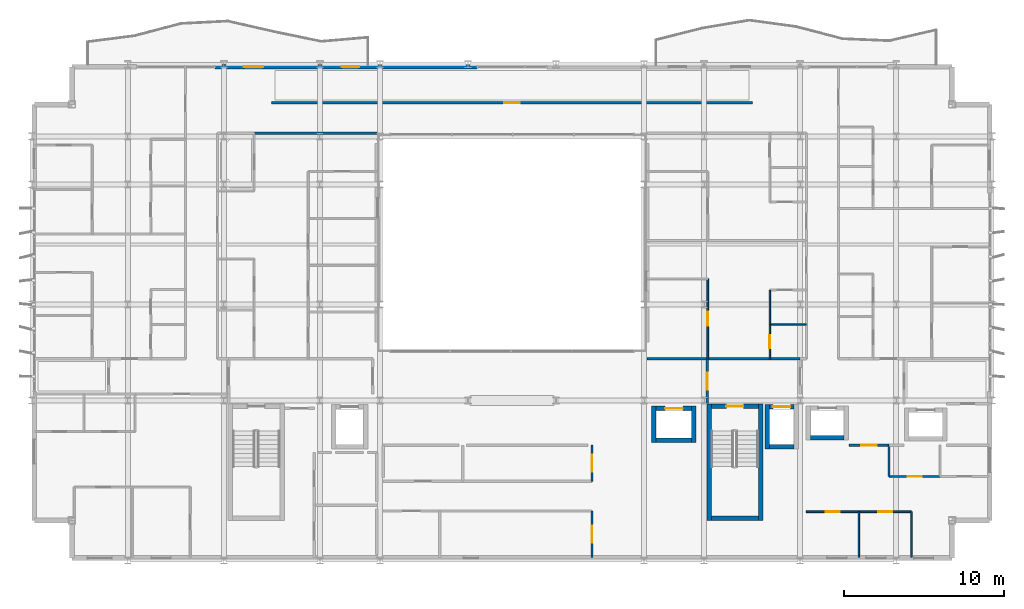
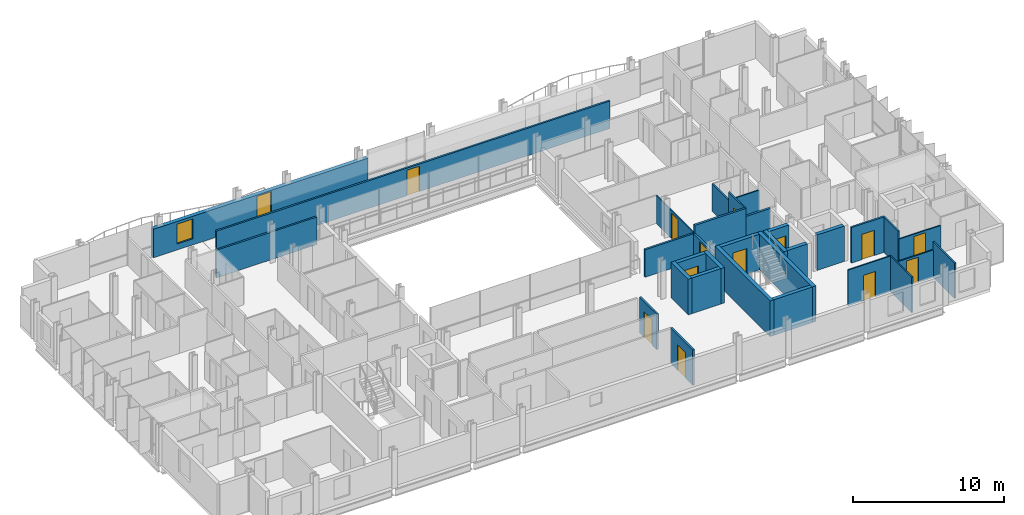
# One storey, part 30 of 38: 32 walls, 14 doors, 1 window, 15 openings.
"""IFC4 building model written with IfcOpenShell, lengths in metres."""

from ifc_helpers import new_model, si_unit, direction, frame, frame_2d, origin, place, context, subcontext, project, spatial, rectangle, extrude, material, layer, layer_set, type_object, element, fill, save


model = new_model("IFC4")

# Units and contexts
model_context = context("Model", 3, precision=1e-05, world=origin(), true_north=direction((0.0, 1.0)))
body_context = subcontext(model_context, "Body", "Model", "MODEL_VIEW")
ifc_project = project(units=[si_unit("LENGTHUNIT", "METRE"), si_unit("AREAUNIT", "SQUARE_METRE"), si_unit("VOLUMEUNIT", "CUBIC_METRE"), si_unit("PLANEANGLEUNIT", "RADIAN"), si_unit("MASSUNIT", "GRAM", prefix="KILO")], contexts=[model_context])

# Site, building, storey
site_placement = place(None, origin())
site = spatial("IfcSite", under=ifc_project, at=site_placement, CompositionType="ELEMENT")
building_placement = place(site_placement, origin())
building = spatial("IfcBuilding", under=site, at=building_placement, Name="Brevholm Reach", CompositionType="ELEMENT")
storey_placement = place(building_placement, frame((0.0, 0.0, 65.199951171875)))
storey = spatial("IfcBuildingStorey", under=building, at=storey_placement, Name="L18", CompositionType="ELEMENT", Elevation=65.199951171875)

# Walls
ifc_material_1 = material(Name="Concrete C50/60", Category="concrete")
ifc_layer_1 = layer(ifc_material_1, 0.280029296875)
ifc_layer_set_1 = layer_set([ifc_layer_1], Name="Concrete C50/60")
wall_type_1 = type_object("IfcWallType", Name="WAL-COR-280", PredefinedType="SHEAR", material=ifc_layer_set_1)
for number, where, z_axis, x_axis, name in (
    (1, (42.31005859375, 2.5, 0.0), (0.0, 0.0, 1.0), (0.0, 1.0, 0.0), "L18 Escape Stair ST-2 Core Wall W"),
    (2, (45.5400390625, 2.5, 0.0), (0.0, 0.0, 1.0), (0.0, 1.0, 0.0), "L18 Escape Stair ST-2 Core Wall E"),
):
    element("IfcWall", number, at=place(storey_placement, frame(where, z_axis=z_axis, x_axis=x_axis)), inside=storey, type_object=wall_type_1, Name=name, PredefinedType="SHEAR", context=body_context, shape_type="SweptSolid", body=[
        extrude(rectangle(XDim=7.280029296875, YDim=0.280029296875, at=frame_2d((3.64013671875, 0.0))), origin(), (0.0, 0.0, 1.0), 2.8701171875),
    ])
wall_1_placement = place(storey_placement, frame((42.449951171875, 2.639892578125, 0.0), z_axis=(0.0, 0.0, 1.0), x_axis=(1.0, 0.0, 0.0)))
element("IfcWall", 3, at=wall_1_placement, inside=storey, type_object=wall_type_1, Name="L18 Escape Stair ST-2 Core Wall S", PredefinedType="SHEAR", context=body_context, shape_type="SweptSolid", body=[
    extrude(rectangle(XDim=2.949951171875, YDim=0.280029296875, at=frame_2d((1.47509765625, 0.0))), origin(), (0.0, 0.0, 1.0), 2.8701171875),
])

# Wall, opening, door
wall_2_placement = place(storey_placement, frame((45.39990234375, 9.639892578125, 0.0), z_axis=(0.0, 0.0, 1.0), x_axis=(-1.0, 0.0, 0.0)))
wall_2 = element("IfcWall", 4, at=wall_2_placement, inside=storey, type_object=wall_type_1, Name="L18 Escape Stair ST-2 Core Wall N", PredefinedType="SHEAR", context=body_context, shape_type="SweptSolid", body=[
    extrude(rectangle(XDim=2.949951171875, YDim=0.280029296875, at=frame_2d((1.47509765625, 0.0))), origin(), (0.0, 0.0, 1.0), 2.8701171875),
])
opening_1_placement = place(wall_2_placement, frame((0.949951171875, 0.0, 0.0)))
opening_1 = element("IfcOpeningElement", 5, at=opening_1_placement, cuts=wall_2, Name="Opening SD-ST-2", PredefinedType="OPENING", context=body_context, shape_type="SweptSolid", body=[
    extrude(rectangle(XDim=1.050048828125, YDim=2.06005859375, at=frame_2d((0.52490234375, 1.030029296875))), frame((0.0, 0.14990234375, 0.0), z_axis=(0.0, -1.0, 0.0), x_axis=(1.0, 0.0, 0.0)), (0.0, 0.0, 1.0), 0.300048828125),
])
ifc_material_2 = material(Name="Hardwood-Lipped Steel-Core Fire and Smoke Door", Category="steel")
door_type_1 = type_object("IfcDoorType", Name="DOR-INT-FD60S", OperationType="NOTDEFINED", PredefinedType="DOOR", material=ifc_material_2)
door_1_placement = place(opening_1_placement, origin())
door_1 = element("IfcDoor", 6, at=door_1_placement, inside=storey, type_object=door_type_1, Name="L18 Protected Stair ST-2 Lobby Door", OperationType="SINGLE_SWING_LEFT", OverallHeight=2.06005859375, OverallWidth=1.050048828125, PredefinedType="DOOR", context=body_context, shape_type="SweptSolid", body=[
    extrude(rectangle(XDim=1.050048828125, YDim=2.06005859375, at=frame_2d((0.52490234375, 1.030029296875))), frame((0.0, 0.02490234375, 0.0), z_axis=(0.0, -1.0, 0.0), x_axis=(1.0, 0.0, 0.0)), (0.0, 0.0, 1.0), 0.050048828125),
])
fill(opening_1, door_1)

# Walls
wall_3_placement = place(storey_placement, frame((45.949951171875, 6.9599609375, 0.0), z_axis=(0.0, 0.0, 1.0), x_axis=(0.0, 1.0, 0.0)))
element("IfcWall", 7, at=wall_3_placement, inside=storey, type_object=wall_type_1, Name="L18 Lift FFL-2 Shaft Wall W", PredefinedType="SHEAR", context=body_context, shape_type="SweptSolid", body=[
    extrude(rectangle(XDim=2.780029296875, YDim=0.280029296875, at=frame_2d((1.39013671875, 0.0))), origin(), (0.0, 0.0, 1.0), 2.8701171875),
])
wall_4_placement = place(storey_placement, frame((46.090087890625, 7.10009765625, 0.0), z_axis=(0.0, 0.0, 1.0), x_axis=(1.0, 0.0, 0.0)))
element("IfcWall", 8, at=wall_4_placement, inside=storey, type_object=wall_type_1, Name="L18 Lift FFL-2 Shaft Wall S", PredefinedType="SHEAR", context=body_context, shape_type="SweptSolid", body=[
    extrude(rectangle(XDim=1.52001953125, YDim=0.280029296875, at=frame_2d((0.760009765625, 0.0))), origin(), (0.0, 0.0, 1.0), 2.8701171875),
])

# Wall, opening, door
wall_5_placement = place(storey_placement, frame((46.090087890625, 9.60009765625, 0.0), z_axis=(0.0, 0.0, 1.0), x_axis=(1.0, 0.0, 0.0)))
wall_5 = element("IfcWall", 9, at=wall_5_placement, inside=storey, type_object=wall_type_1, Name="L18 Lift FFL-2 Shaft Wall N", PredefinedType="SHEAR", context=body_context, shape_type="SweptSolid", body=[
    extrude(rectangle(XDim=1.52001953125, YDim=0.280029296875, at=frame_2d((0.760009765625, 0.0))), origin(), (0.0, 0.0, 1.0), 2.8701171875),
])
opening_2_placement = place(wall_5_placement, frame((0.2099609375, 0.0, 0.0)))
opening_2 = element("IfcOpeningElement", 10, at=opening_2_placement, cuts=wall_5, Name="Opening LD-FFL-2", PredefinedType="OPENING", context=body_context, shape_type="SweptSolid", body=[
    extrude(rectangle(XDim=1.10009765625, YDim=2.06005859375, at=frame_2d((0.550048828125, 1.030029296875))), frame((0.0, 0.14990234375, 0.0), z_axis=(0.0, -1.0, 0.0), x_axis=(1.0, 0.0, 0.0)), (0.0, 0.0, 1.0), 0.300048828125),
])
ifc_material_3 = material(Name="Brushed Stainless Steel Fire-Rated Sliding Lift Door", Category="steel")
door_type_2 = type_object("IfcDoorType", Name="DOR-LFT-1100", OperationType="NOTDEFINED", PredefinedType="DOOR", material=ifc_material_3)
door_2_placement = place(opening_2_placement, origin())
door_2 = element("IfcDoor", 11, at=door_2_placement, inside=storey, type_object=door_type_2, Name="L18 Lift FFL-2 Sliding Landing Door", OperationType="SLIDING_TO_LEFT", OverallHeight=2.06005859375, OverallWidth=1.10009765625, PredefinedType="DOOR", context=body_context, shape_type="SweptSolid", body=[
    extrude(rectangle(XDim=1.10009765625, YDim=2.06005859375, at=frame_2d((0.550048828125, 1.030029296875))), frame((0.0, 0.02490234375, 0.0), z_axis=(0.0, -1.0, 0.0), x_axis=(1.0, 0.0, 0.0)), (0.0, 0.0, 1.0), 0.050048828125),
])
fill(opening_2, door_2)

# Walls
wall_6_placement = place(storey_placement, frame((48.6650390625, 7.675048828125, 0.0), z_axis=(0.0, 0.0, 1.0), x_axis=(1.0, 0.0, 0.0)))
element("IfcWall", 12, at=wall_6_placement, inside=storey, type_object=wall_type_1, Name="L18 Lift PL-L1 Shaft Wall S", PredefinedType="SHEAR", context=body_context, shape_type="SweptSolid", body=[
    extrude(rectangle(XDim=2.070068359375, YDim=0.280029296875, at=frame_2d((1.03515625, 0.0))), origin(), (0.0, 0.0, 1.0), 2.8701171875),
])
for number, where, z_axis, x_axis, name in (
    (13, (38.8701171875, 7.360107421875, 0.0), (0.0, 0.0, 1.0), (0.0, 1.0, 0.0), "L18 Lift PL-S1 Shaft Wall W"),
    (14, (41.3701171875, 7.360107421875, 0.0), (0.0, 0.0, 1.0), (0.0, 1.0, 0.0), "L18 Lift PL-S1 Shaft Wall E"),
):
    element("IfcWall", number, at=place(storey_placement, frame(where, z_axis=z_axis, x_axis=x_axis)), inside=storey, type_object=wall_type_1, Name=name, PredefinedType="SHEAR", context=body_context, shape_type="SweptSolid", body=[
        extrude(rectangle(XDim=2.27978515625, YDim=0.280029296875, at=frame_2d((1.139892578125, 0.0))), origin(), (0.0, 0.0, 1.0), 2.8701171875),
    ])
wall_7_placement = place(storey_placement, frame((39.010009765625, 7.5, 0.0), z_axis=(0.0, 0.0, 1.0), x_axis=(1.0, 0.0, 0.0)))
element("IfcWall", 15, at=wall_7_placement, inside=storey, type_object=wall_type_1, Name="L18 Lift PL-S1 Shaft Wall S", PredefinedType="SHEAR", context=body_context, shape_type="SweptSolid", body=[
    extrude(rectangle(XDim=2.219970703125, YDim=0.280029296875, at=frame_2d((1.10986328125, 0.0))), origin(), (0.0, 0.0, 1.0), 2.8701171875),
])

# Wall, opening, door
wall_8_placement = place(storey_placement, frame((39.010009765625, 9.5, 0.0), z_axis=(0.0, 0.0, 1.0), x_axis=(1.0, 0.0, 0.0)))
wall_8 = element("IfcWall", 16, at=wall_8_placement, inside=storey, type_object=wall_type_1, Name="L18 Lift PL-S1 Shaft Wall N", PredefinedType="SHEAR", context=body_context, shape_type="SweptSolid", body=[
    extrude(rectangle(XDim=2.219970703125, YDim=0.280029296875, at=frame_2d((1.10986328125, 0.0))), origin(), (0.0, 0.0, 1.0), 2.8701171875),
])
opening_3_placement = place(wall_8_placement, frame((0.56005859375, 0.0, 0.0)))
opening_3 = element("IfcOpeningElement", 17, at=opening_3_placement, cuts=wall_8, Name="Opening LD-PL-S1", PredefinedType="OPENING", context=body_context, shape_type="SweptSolid", body=[
    extrude(rectangle(XDim=1.10009765625, YDim=2.06005859375, at=frame_2d((0.550048828125, 1.030029296875))), frame((0.0, 0.14990234375, 0.0), z_axis=(0.0, -1.0, 0.0), x_axis=(1.0, 0.0, 0.0)), (0.0, 0.0, 1.0), 0.300048828125),
])
door_3_placement = place(opening_3_placement, origin())
door_3 = element("IfcDoor", 18, at=door_3_placement, inside=storey, type_object=door_type_2, Name="L18 Lift PL-S1 Sliding Landing Door", OperationType="SLIDING_TO_RIGHT", OverallHeight=2.06005859375, OverallWidth=1.10009765625, PredefinedType="DOOR", context=body_context, shape_type="SweptSolid", body=[
    extrude(rectangle(XDim=1.10009765625, YDim=2.06005859375, at=frame_2d((0.550048828125, 1.030029296875))), frame((0.0, 0.02490234375, 0.0), z_axis=(0.0, -1.0, 0.0), x_axis=(1.0, 0.0, 0.0)), (0.0, 0.0, 1.0), 0.050048828125),
])
fill(opening_3, door_3)

# Wall, openings, door, window
ifc_material_4 = material(Name="Concrete C40/50", Category="concrete")
ifc_layer_2 = layer(ifc_material_4, 0.300048828125)
ifc_layer_set_2 = layer_set([ifc_layer_2], Name="Concrete C40/50")
wall_type_2 = type_object("IfcWallType", Name="WAL-EXT-300", PredefinedType="STANDARD", material=ifc_layer_set_2)
wall_9_placement = place(storey_placement, frame((11.449951171875, 30.85009765625, 0.0), z_axis=(0.0, 0.0, 1.0), x_axis=(1.0, 0.0, 0.0)))
wall_9 = element("IfcWall", 19, at=wall_9_placement, inside=storey, type_object=wall_type_2, Name="L18 Facade Wall WAL-L18-NP-WL", PredefinedType="STANDARD", context=body_context, shape_type="SweptSolid", body=[
    extrude(rectangle(XDim=16.35009765625, YDim=0.300048828125, at=frame_2d((8.175048828125, 0.0))), origin(), (0.0, 0.0, 1.0), 2.3056640625),
])
opening_4_placement = place(wall_9_placement, frame((7.89794921875, 0.0, 0.0)))
opening_4 = element("IfcOpeningElement", 20, at=opening_4_placement, cuts=wall_9, Name="Opening BD-01", PredefinedType="OPENING", context=body_context, shape_type="SweptSolid", body=[
    extrude(rectangle(XDim=1.10009765625, YDim=2.199951171875, at=frame_2d((0.550048828125, 1.10009765625))), frame((0.0, 0.159912109375, 0.0), z_axis=(0.0, -1.0, 0.0), x_axis=(1.0, 0.0, 0.0)), (0.0, 0.0, 1.0), 0.320068359375),
])
opening_5_placement = place(wall_9_placement, frame((1.800048828125, 0.0, 0.485107421875)))
opening_5 = element("IfcOpeningElement", 21, at=opening_5_placement, cuts=wall_9, Name="Opening WN-08", PredefinedType="OPENING", context=body_context, shape_type="SweptSolid", body=[
    extrude(rectangle(XDim=1.199951171875, YDim=1.60009765625, at=frame_2d((0.60009765625, 0.800048828125))), frame((0.0, 0.159912109375, 0.0), z_axis=(0.0, -1.0, 0.0), x_axis=(1.0, 0.0, 0.0)), (0.0, 0.0, 1.0), 0.320068359375),
])
ifc_material_5 = material(Name="Dark Anodised Aluminium and Triple-Glazed Glass", Category="aluminium")
door_type_3 = type_object("IfcDoorType", Name="DOR-BALC-1100", OperationType="NOTDEFINED", PredefinedType="DOOR", material=ifc_material_5)
door_4_placement = place(opening_4_placement, origin())
door_4 = element("IfcDoor", 22, at=door_4_placement, inside=storey, type_object=door_type_3, Name="L18 Exterior Door DOR-L18-BL-NW", OperationType="SINGLE_SWING_RIGHT", OverallHeight=2.199951171875, OverallWidth=1.10009765625, PredefinedType="DOOR", context=body_context, shape_type="SweptSolid", body=[
    extrude(rectangle(XDim=1.10009765625, YDim=2.199951171875, at=frame_2d((0.550048828125, 1.10009765625))), frame((0.0, 0.02490234375, 0.0), z_axis=(0.0, -1.0, 0.0), x_axis=(1.0, 0.0, 0.0)), (0.0, 0.0, 1.0), 0.050048828125),
])
fill(opening_4, door_4)
ifc_material_6 = material(Name="Dark Anodised Aluminium and Solar-Control IGU Glass", Category="aluminium")
window_type = type_object("IfcWindowType", Name="WIN-RES-1200", PartitioningType="SINGLE_PANEL", PredefinedType="WINDOW", material=ifc_material_6)
window_placement = place(opening_5_placement, origin())
window = element("IfcWindow", 23, at=window_placement, inside=storey, type_object=window_type, Name="L18 Window WIN-L18-NP-WL1", OverallHeight=1.60009765625, OverallWidth=1.199951171875, PartitioningType="SINGLE_PANEL", PredefinedType="WINDOW", context=body_context, shape_type="SweptSolid", body=[
    extrude(rectangle(XDim=1.199951171875, YDim=1.60009765625, at=frame_2d((0.60009765625, 0.800048828125))), frame((0.0, 0.030029296875, 0.0), z_axis=(0.0, -1.0, 0.0), x_axis=(1.0, 0.0, 0.0)), (0.0, 0.0, 1.0), 0.06005859375),
])
fill(opening_5, window)

# Wall, opening, door
ifc_material_7 = material(Name="Moisture-Resistant Acoustic Gypsum Stud Partition 100 mm", Category="gypsum")
ifc_layer_3 = layer(ifc_material_7, 0.10009765625)
ifc_layer_set_3 = layer_set([ifc_layer_3], Name="Moisture-Resistant Acoustic Gypsum Stud Partition 100 mm")
wall_type_3 = type_object("IfcWallType", Name="WAL-PRT-100", PredefinedType="PARTITIONING", material=ifc_layer_set_3)
wall_10_placement = place(storey_placement, frame((53.55810546875, 5.25, 0.0), z_axis=(0.0, 0.0, 1.0), x_axis=(1.0, 0.0, 0.0)))
wall_10 = element("IfcWall", 24, at=wall_10_placement, inside=storey, type_object=wall_type_3, Name="L18 Internal Partition 083", PredefinedType="PARTITIONING", context=body_context, shape_type="SweptSolid", body=[
    extrude(rectangle(XDim=3.18798828125, YDim=0.10009765625, at=frame_2d((1.593994140625, 0.0))), origin(), (0.0, 0.0, 1.0), 2.224853515625),
])
opening_6_placement = place(wall_10_placement, frame((1.154052734375, 0.0, 0.0)))
opening_6 = element("IfcOpeningElement", 25, at=opening_6_placement, cuts=wall_10, Name="Opening ID-01", PredefinedType="OPENING", context=body_context, shape_type="SweptSolid", body=[
    extrude(rectangle(XDim=0.8798828125, YDim=2.0400390625, at=frame_2d((0.43994140625, 1.02001953125))), frame((0.0, 0.06005859375, 0.0), z_axis=(0.0, -1.0, 0.0), x_axis=(1.0, 0.0, 0.0)), (0.0, 0.0, 1.0), 0.1201171875),
])
ifc_material_8 = material(Name="Lacquered Ash Solid-Core Acoustic Internal Door", Category="timber")
door_type_4 = type_object("IfcDoorType", Name="DOR-INT-880", OperationType="NOTDEFINED", PredefinedType="DOOR", material=ifc_material_8)
door_5_placement = place(opening_6_placement, origin())
door_5 = element("IfcDoor", 26, at=door_5_placement, inside=storey, type_object=door_type_4, Name="L18 Internal Door 029", OperationType="SINGLE_SWING_LEFT", OverallHeight=2.0400390625, OverallWidth=0.8798828125, PredefinedType="DOOR", context=body_context, shape_type="SweptSolid", body=[
    extrude(rectangle(XDim=0.8798828125, YDim=2.0400390625, at=frame_2d((0.43994140625, 1.02001953125))), frame((0.0, 0.02490234375, 0.0), z_axis=(0.0, -1.0, 0.0), x_axis=(1.0, 0.0, 0.0)), (0.0, 0.0, 1.0), 0.050048828125),
])
fill(opening_6, door_5)

# Walls
wall_11_placement = place(storey_placement, frame((53.55810546875, 5.25, 0.0), z_axis=(0.0, 0.0, 1.0), x_axis=(0.0, 1.0, 0.0)))
element("IfcWall", 27, at=wall_11_placement, inside=storey, type_object=wall_type_3, Name="L18 Internal Partition 084", PredefinedType="PARTITIONING", context=body_context, shape_type="SweptSolid", body=[
    extrude(rectangle(XDim=1.946044921875, YDim=0.10009765625, at=frame_2d((0.97314453125, 0.0))), origin(), (0.0, 0.0, 1.0), 2.8701171875),
])
wall_12_placement = place(storey_placement, frame((51.675048828125, 0.199951171875, 0.0), z_axis=(0.0, 0.0, 1.0), x_axis=(0.0, 1.0, 0.0)))
element("IfcWall", 28, at=wall_12_placement, inside=storey, type_object=wall_type_3, Name="L18 Internal Partition 085", PredefinedType="PARTITIONING", context=body_context, shape_type="SweptSolid", body=[
    extrude(rectangle(XDim=2.85009765625, YDim=0.10009765625, at=frame_2d((1.425048828125, 0.0))), origin(), (0.0, 0.0, 1.0), 2.8701171875),
])

# Wall, opening, door
wall_13_placement = place(storey_placement, frame((48.39990234375, 3.050048828125, 0.0), z_axis=(0.0, 0.0, 1.0), x_axis=(1.0, 0.0, 0.0)))
wall_13 = element("IfcWall", 29, at=wall_13_placement, inside=storey, type_object=wall_type_3, Name="L18 Internal Partition 086", PredefinedType="PARTITIONING", context=body_context, shape_type="SweptSolid", body=[
    extrude(rectangle(XDim=3.275146484375, YDim=0.10009765625, at=frame_2d((1.6376953125, 0.0))), origin(), (0.0, 0.0, 1.0), 2.8701171875),
])
opening_7_placement = place(wall_13_placement, frame((1.197509765625, 0.0, 0.0)))
opening_7 = element("IfcOpeningElement", 30, at=opening_7_placement, cuts=wall_13, Name="Opening ID-01", PredefinedType="OPENING", context=body_context, shape_type="SweptSolid", body=[
    extrude(rectangle(XDim=0.8798828125, YDim=2.0400390625, at=frame_2d((0.43994140625, 1.02001953125))), frame((0.0, 0.06005859375, 0.0), z_axis=(0.0, -1.0, 0.0), x_axis=(1.0, 0.0, 0.0)), (0.0, 0.0, 1.0), 0.1201171875),
])
door_6_placement = place(opening_7_placement, origin())
door_6 = element("IfcDoor", 31, at=door_6_placement, inside=storey, type_object=door_type_4, Name="L18 Internal Door 030", OperationType="SINGLE_SWING_RIGHT", OverallHeight=2.0400390625, OverallWidth=0.8798828125, PredefinedType="DOOR", context=body_context, shape_type="SweptSolid", body=[
    extrude(rectangle(XDim=0.8798828125, YDim=2.0400390625, at=frame_2d((0.43994140625, 1.02001953125))), frame((0.0, 0.02490234375, 0.0), z_axis=(0.0, -1.0, 0.0), x_axis=(1.0, 0.0, 0.0)), (0.0, 0.0, 1.0), 0.050048828125),
])
fill(opening_7, door_6)

# Wall
wall_14_placement = place(storey_placement, frame((54.949951171875, 0.199951171875, 0.0), z_axis=(0.0, 0.0, 1.0), x_axis=(0.0, 1.0, 0.0)))
element("IfcWall", 32, at=wall_14_placement, inside=storey, type_object=wall_type_3, Name="L18 Internal Partition 087", PredefinedType="PARTITIONING", context=body_context, shape_type="SweptSolid", body=[
    extrude(rectangle(XDim=2.85009765625, YDim=0.10009765625, at=frame_2d((1.425048828125, 0.0))), origin(), (0.0, 0.0, 1.0), 2.8701171875),
])

# Wall, opening, door
wall_15_placement = place(storey_placement, frame((51.678955078125, 3.050048828125, 0.0), z_axis=(0.0, 0.0, 1.0), x_axis=(1.0, 0.0, 0.0)))
wall_15 = element("IfcWall", 33, at=wall_15_placement, inside=storey, type_object=wall_type_3, Name="L18 Internal Partition 088", PredefinedType="PARTITIONING", context=body_context, shape_type="SweptSolid", body=[
    extrude(rectangle(XDim=3.27099609375, YDim=0.10009765625, at=frame_2d((1.635498046875, 0.0))), origin(), (0.0, 0.0, 1.0), 2.224853515625),
])
opening_8_placement = place(wall_15_placement, frame((1.195556640625, 0.0, 0.0)))
opening_8 = element("IfcOpeningElement", 34, at=opening_8_placement, cuts=wall_15, Name="Opening ID-01", PredefinedType="OPENING", context=body_context, shape_type="SweptSolid", body=[
    extrude(rectangle(XDim=0.8798828125, YDim=2.0400390625, at=frame_2d((0.43994140625, 1.02001953125))), frame((0.0, 0.06005859375, 0.0), z_axis=(0.0, -1.0, 0.0), x_axis=(1.0, 0.0, 0.0)), (0.0, 0.0, 1.0), 0.1201171875),
])
door_7_placement = place(opening_8_placement, origin())
door_7 = element("IfcDoor", 35, at=door_7_placement, inside=storey, type_object=door_type_4, Name="L18 Internal Door 031", OperationType="SINGLE_SWING_LEFT", OverallHeight=2.0400390625, OverallWidth=0.8798828125, PredefinedType="DOOR", context=body_context, shape_type="SweptSolid", body=[
    extrude(rectangle(XDim=0.8798828125, YDim=2.0400390625, at=frame_2d((0.43994140625, 1.02001953125))), frame((0.0, 0.02490234375, 0.0), z_axis=(0.0, -1.0, 0.0), x_axis=(1.0, 0.0, 0.0)), (0.0, 0.0, 1.0), 0.050048828125),
])
fill(opening_8, door_7)

# Wall
wall_16_placement = place(storey_placement, frame((46.112060546875, 14.75, 0.0), z_axis=(0.0, 0.0, 1.0), x_axis=(1.0, 0.0, 0.0)))
element("IfcWall", 36, at=wall_16_placement, inside=storey, type_object=wall_type_3, Name="L18 Internal Partition 122", PredefinedType="PARTITIONING", context=body_context, shape_type="SweptSolid", body=[
    extrude(rectangle(XDim=2.283935546875, YDim=0.10009765625, at=frame_2d((1.14208984375, 0.0))), origin(), (0.0, 0.0, 1.0), 2.224853515625),
])

# Wall, opening, door
wall_17_placement = place(storey_placement, frame((46.112060546875, 12.60400390625, 0.0), z_axis=(0.0, 0.0, 1.0), x_axis=(0.0, 1.0, 0.0)))
wall_17 = element("IfcWall", 37, at=wall_17_placement, inside=storey, type_object=wall_type_3, Name="L18 Internal Partition 123", PredefinedType="PARTITIONING", context=body_context, shape_type="SweptSolid", body=[
    extrude(rectangle(XDim=2.14599609375, YDim=0.10009765625, at=frame_2d((1.072998046875, 0.0))), origin(), (0.0, 0.0, 1.0), 2.8701171875),
])
opening_9_placement = place(wall_17_placement, frame((0.6630859375, 0.0, 0.0)))
opening_9 = element("IfcOpeningElement", 38, at=opening_9_placement, cuts=wall_17, Name="Opening ID-03", PredefinedType="OPENING", context=body_context, shape_type="SweptSolid", body=[
    extrude(rectangle(XDim=0.820068359375, YDim=2.02001953125, at=frame_2d((0.41015625, 1.010009765625))), frame((0.0, 0.06005859375, 0.0), z_axis=(0.0, -1.0, 0.0), x_axis=(1.0, 0.0, 0.0)), (0.0, 0.0, 1.0), 0.1201171875),
])
ifc_material_9 = material(Name="Moisture-Resistant Painted Timber Internal Bathroom Door", Category="wood")
door_type_5 = type_object("IfcDoorType", Name="DOR-BATH-820", OperationType="NOTDEFINED", PredefinedType="DOOR", material=ifc_material_9)
door_8_placement = place(opening_9_placement, origin())
door_8 = element("IfcDoor", 39, at=door_8_placement, inside=storey, type_object=door_type_5, Name="L18 Internal Door 047", OperationType="SINGLE_SWING_LEFT", OverallHeight=2.02001953125, OverallWidth=0.820068359375, PredefinedType="DOOR", context=body_context, shape_type="SweptSolid", body=[
    extrude(rectangle(XDim=0.820068359375, YDim=2.02001953125, at=frame_2d((0.41015625, 1.010009765625))), frame((0.0, 0.02490234375, 0.0), z_axis=(0.0, -1.0, 0.0), x_axis=(1.0, 0.0, 0.0)), (0.0, 0.0, 1.0), 0.050048828125),
])
fill(opening_9, door_8)

# Wall
wall_18_placement = place(storey_placement, frame((46.112060546875, 14.75390625, 0.0), z_axis=(0.0, 0.0, 1.0), x_axis=(0.0, 1.0, 0.0)))
element("IfcWall", 40, at=wall_18_placement, inside=storey, type_object=wall_type_3, Name="L18 Internal Partition 125", PredefinedType="PARTITIONING", context=body_context, shape_type="SweptSolid", body=[
    extrude(rectangle(XDim=2.14599609375, YDim=0.10009765625, at=frame_2d((1.072998046875, 0.0))), origin(), (0.0, 0.0, 1.0), 2.224853515625),
])

# Wall, opening, door
wall_19_placement = place(storey_placement, frame((42.23095703125, 12.60400390625, 0.0), z_axis=(0.0, 0.0, 1.0), x_axis=(0.0, 1.0, 0.0)))
wall_19 = element("IfcWall", 41, at=wall_19_placement, inside=storey, type_object=wall_type_3, Name="L18 Internal Partition 126", PredefinedType="PARTITIONING", context=body_context, shape_type="SweptSolid", body=[
    extrude(rectangle(XDim=4.99609375, YDim=0.10009765625, at=frame_2d((2.498046875, 0.0))), origin(), (0.0, 0.0, 1.0), 2.224853515625),
])
opening_10_placement = place(wall_19_placement, frame((2.05810546875, 0.0, 0.0)))
opening_10 = element("IfcOpeningElement", 42, at=opening_10_placement, cuts=wall_19, Name="Opening ID-01", PredefinedType="OPENING", context=body_context, shape_type="SweptSolid", body=[
    extrude(rectangle(XDim=0.8798828125, YDim=2.0400390625, at=frame_2d((0.43994140625, 1.02001953125))), frame((0.0, 0.06005859375, 0.0), z_axis=(0.0, -1.0, 0.0), x_axis=(1.0, 0.0, 0.0)), (0.0, 0.0, 1.0), 0.1201171875),
])
door_9_placement = place(opening_10_placement, origin())
door_9 = element("IfcDoor", 43, at=door_9_placement, inside=storey, type_object=door_type_4, Name="L18 Internal Door 049", OperationType="SINGLE_SWING_LEFT", OverallHeight=2.0400390625, OverallWidth=0.8798828125, PredefinedType="DOOR", context=body_context, shape_type="SweptSolid", body=[
    extrude(rectangle(XDim=0.8798828125, YDim=2.0400390625, at=frame_2d((0.43994140625, 1.02001953125))), frame((0.0, 0.02490234375, 0.0), z_axis=(0.0, -1.0, 0.0), x_axis=(1.0, 0.0, 0.0)), (0.0, 0.0, 1.0), 0.050048828125),
])
fill(opening_10, door_9)

ifc_material_10 = material(Name="Twin-Stud Acoustic Fire-Rated Gypsum Partition 140 mm", Category="gypsum")
ifc_layer_4 = layer(ifc_material_10, 0.139892578125)
ifc_layer_set_4 = layer_set([ifc_layer_4], Name="Twin-Stud Acoustic Fire-Rated Gypsum Partition 140 mm")
wall_type_4 = type_object("IfcWallType", Name="WAL-PRT-140", PredefinedType="PARTITIONING", material=ifc_layer_set_4)
wall_20_placement = place(storey_placement, frame((35.0, 0.179931640625, 0.0), z_axis=(0.0, 0.0, 1.0), x_axis=(0.0, 1.0, 0.0)))
wall_20 = element("IfcWall", 44, at=wall_20_placement, inside=storey, type_object=wall_type_4, Name="L18 Internal Partition 001", PredefinedType="PARTITIONING", context=body_context, shape_type="SweptSolid", body=[
    extrude(rectangle(XDim=2.927490234375, YDim=0.139892578125, at=frame_2d((1.4638671875, 0.0))), origin(), (0.0, 0.0, 1.0), 2.8701171875),
])
opening_11_placement = place(wall_20_placement, frame((0.938720703125, 0.0, 0.0)))
opening_11 = element("IfcOpeningElement", 45, at=opening_11_placement, cuts=wall_20, Name="Opening FD-01", PredefinedType="OPENING", context=body_context, shape_type="SweptSolid", body=[
    extrude(rectangle(XDim=1.050048828125, YDim=2.06005859375, at=frame_2d((0.52490234375, 1.030029296875))), frame((0.0, 0.079833984375, 0.0), z_axis=(0.0, -1.0, 0.0), x_axis=(1.0, 0.0, 0.0)), (0.0, 0.0, 1.0), 0.159912109375),
])
door_10_placement = place(opening_11_placement, origin())
door_10 = element("IfcDoor", 46, at=door_10_placement, inside=storey, type_object=door_type_1, Name="L18 Internal Door 001", OperationType="SINGLE_SWING_LEFT", OverallHeight=2.06005859375, OverallWidth=1.050048828125, PredefinedType="DOOR", context=body_context, shape_type="SweptSolid", body=[
    extrude(rectangle(XDim=1.050048828125, YDim=2.06005859375, at=frame_2d((0.52490234375, 1.030029296875))), frame((0.0, 0.02490234375, 0.0), z_axis=(0.0, -1.0, 0.0), x_axis=(1.0, 0.0, 0.0)), (0.0, 0.0, 1.0), 0.050048828125),
])
fill(opening_11, door_10)

wall_21_placement = place(storey_placement, frame((35.0, 4.942626953125, 0.0), z_axis=(0.0, 0.0, 1.0), x_axis=(0.0, 1.0, 0.0)))
wall_21 = element("IfcWall", 47, at=wall_21_placement, inside=storey, type_object=wall_type_4, Name="L18 Internal Partition 002", PredefinedType="PARTITIONING", context=body_context, shape_type="SweptSolid", body=[
    extrude(rectangle(XDim=2.2685546875, YDim=0.139892578125, at=frame_2d((1.13427734375, 0.0))), origin(), (0.0, 0.0, 1.0), 2.8701171875),
])
opening_12_placement = place(wall_21_placement, frame((0.609375, 0.0, 0.0)))
opening_12 = element("IfcOpeningElement", 48, at=opening_12_placement, cuts=wall_21, Name="Opening FD-01", PredefinedType="OPENING", context=body_context, shape_type="SweptSolid", body=[
    extrude(rectangle(XDim=1.050048828125, YDim=2.06005859375, at=frame_2d((0.52490234375, 1.030029296875))), frame((0.0, 0.079833984375, 0.0), z_axis=(0.0, -1.0, 0.0), x_axis=(1.0, 0.0, 0.0)), (0.0, 0.0, 1.0), 0.159912109375),
])
door_11_placement = place(opening_12_placement, origin())
door_11 = element("IfcDoor", 49, at=door_11_placement, inside=storey, type_object=door_type_1, Name="L18 Internal Door 002", OperationType="SINGLE_SWING_RIGHT", OverallHeight=2.06005859375, OverallWidth=1.050048828125, PredefinedType="DOOR", context=body_context, shape_type="SweptSolid", body=[
    extrude(rectangle(XDim=1.050048828125, YDim=2.06005859375, at=frame_2d((0.52490234375, 1.030029296875))), frame((0.0, 0.02490234375, 0.0), z_axis=(0.0, -1.0, 0.0), x_axis=(1.0, 0.0, 0.0)), (0.0, 0.0, 1.0), 0.050048828125),
])
fill(opening_12, door_11)

wall_22_placement = place(storey_placement, frame((51.050048828125, 7.199951171875, 0.0), z_axis=(0.0, 0.0, 1.0), x_axis=(1.0, 0.0, 0.0)))
wall_22 = element("IfcWall", 50, at=wall_22_placement, inside=storey, type_object=wall_type_4, Name="L18 Internal Partition 015", PredefinedType="PARTITIONING", context=body_context, shape_type="SweptSolid", body=[
    extrude(rectangle(XDim=2.51513671875, YDim=0.139892578125, at=frame_2d((1.257568359375, 0.0))), origin(), (0.0, 0.0, 1.0), 2.8701171875),
])
opening_13_placement = place(wall_22_placement, frame((0.78271484375, 0.0, 0.0)))
opening_13 = element("IfcOpeningElement", 51, at=opening_13_placement, cuts=wall_22, Name="Opening ID-30", PredefinedType="OPENING", context=body_context, shape_type="SweptSolid", body=[
    extrude(rectangle(XDim=0.949951171875, YDim=2.050048828125, at=frame_2d((0.47509765625, 1.02490234375))), frame((0.0, 0.079833984375, 0.0), z_axis=(0.0, -1.0, 0.0), x_axis=(1.0, 0.0, 0.0)), (0.0, 0.0, 1.0), 0.159912109375),
])
ifc_material_11 = material(Name="European Oak Veneered Solid-Core Fire Entrance Door", Category="timber")
door_type_6 = type_object("IfcDoorType", Name="DOR-FLT-FD30S", OperationType="NOTDEFINED", PredefinedType="DOOR", material=ifc_material_11)
door_12_placement = place(opening_13_placement, origin())
door_12 = element("IfcDoor", 52, at=door_12_placement, inside=storey, type_object=door_type_6, Name="L18 Internal Door 009", OperationType="SINGLE_SWING_LEFT", OverallHeight=2.050048828125, OverallWidth=0.949951171875, PredefinedType="DOOR", context=body_context, shape_type="SweptSolid", body=[
    extrude(rectangle(XDim=0.949951171875, YDim=2.050048828125, at=frame_2d((0.47509765625, 1.02490234375))), frame((0.0, 0.02490234375, 0.0), z_axis=(0.0, -1.0, 0.0), x_axis=(1.0, 0.0, 0.0)), (0.0, 0.0, 1.0), 0.050048828125),
])
fill(opening_13, door_12)

# Walls
wall_23_placement = place(storey_placement, frame((38.438720703125, 12.60009765625, 0.0), z_axis=(0.0, 0.0, 1.0), x_axis=(1.0, 0.0, 0.0)))
element("IfcWall", 53, at=wall_23_placement, inside=storey, type_object=wall_type_4, Name="L18 Internal Partition 034", PredefinedType="PARTITIONING", context=body_context, shape_type="SweptSolid", body=[
    extrude(rectangle(XDim=3.75732421875, YDim=0.139892578125, at=frame_2d((1.878662109375, 0.0))), origin(), (0.0, 0.0, 1.0), 2.224853515625),
])
wall_24_placement = place(storey_placement, frame((13.881591796875, 26.699951171875, 0.0), z_axis=(0.0, 0.0, 1.0), x_axis=(1.0, 0.0, 0.0)))
element("IfcWall", 54, at=wall_24_placement, inside=storey, type_object=wall_type_4, Name="L18 Internal Partition 060", PredefinedType="PARTITIONING", context=body_context, shape_type="SweptSolid", body=[
    extrude(rectangle(XDim=7.6796875, YDim=0.139892578125, at=frame_2d((3.83984375, 0.0))), origin(), (0.0, 0.0, 1.0), 2.224853515625),
])

# Wall, opening, door
wall_25_placement = place(storey_placement, frame((14.98876953125, 28.60009765625, 0.0), z_axis=(0.0, 0.0, 1.0), x_axis=(1.0, 0.0, 0.0)))
wall_25 = element("IfcWall", 55, at=wall_25_placement, inside=storey, type_object=wall_type_4, Name="L18 Internal Partition 063", PredefinedType="PARTITIONING", context=body_context, shape_type="SweptSolid", body=[
    extrude(rectangle(XDim=30.0224609375, YDim=0.139892578125, at=frame_2d((15.01123046875, 0.0))), origin(), (0.0, 0.0, 1.0), 2.224853515625),
])
opening_14_placement = place(wall_25_placement, frame((14.536376953125, 0.0, 0.0)))
opening_14 = element("IfcOpeningElement", 56, at=opening_14_placement, cuts=wall_25, Name="Opening ID-30", PredefinedType="OPENING", context=body_context, shape_type="SweptSolid", body=[
    extrude(rectangle(XDim=0.949951171875, YDim=2.050048828125, at=frame_2d((0.47509765625, 1.02490234375))), frame((0.0, 0.079833984375, 0.0), z_axis=(0.0, -1.0, 0.0), x_axis=(1.0, 0.0, 0.0)), (0.0, 0.0, 1.0), 0.159912109375),
])
door_13_placement = place(opening_14_placement, origin())
door_13 = element("IfcDoor", 57, at=door_13_placement, inside=storey, type_object=door_type_6, Name="L18 Internal Door 023", OperationType="SINGLE_SWING_LEFT", OverallHeight=2.050048828125, OverallWidth=0.949951171875, PredefinedType="DOOR", context=body_context, shape_type="SweptSolid", body=[
    extrude(rectangle(XDim=0.949951171875, YDim=2.050048828125, at=frame_2d((0.47509765625, 1.02490234375))), frame((0.0, 0.02490234375, 0.0), z_axis=(0.0, -1.0, 0.0), x_axis=(1.0, 0.0, 0.0)), (0.0, 0.0, 1.0), 0.050048828125),
])
fill(opening_14, door_13)

ifc_material_12 = material(Name="Twin-Frame Fire-Rated Gypsum Board and Mineral Wool 160 mm", Category="gypsum")
ifc_layer_5 = layer(ifc_material_12, 0.159912109375)
ifc_layer_set_5 = layer_set([ifc_layer_5], Name="Twin-Frame Fire-Rated Gypsum Board and Mineral Wool 160 mm")
wall_type_5 = type_object("IfcWallType", Name="WAL-PRT-160", PredefinedType="PARTITIONING", material=ifc_layer_set_5)
wall_26_placement = place(storey_placement, frame((42.199951171875, 9.7900390625, 0.0), z_axis=(0.0, 0.0, 1.0), x_axis=(0.0, 1.0, 0.0)))
wall_26 = element("IfcWall", 58, at=wall_26_placement, inside=storey, type_object=wall_type_5, Name="L18 Internal Partition 024", PredefinedType="PARTITIONING", context=body_context, shape_type="SweptSolid", body=[
    extrude(rectangle(XDim=2.81005859375, YDim=0.159912109375, at=frame_2d((1.405029296875, 0.0))), origin(), (0.0, 0.0, 1.0), 2.224853515625),
])
opening_15_placement = place(wall_26_placement, frame((0.8798828125, 0.0, 0.0)))
opening_15 = element("IfcOpeningElement", 59, at=opening_15_placement, cuts=wall_26, Name="Opening FD-01", PredefinedType="OPENING", context=body_context, shape_type="SweptSolid", body=[
    extrude(rectangle(XDim=1.050048828125, YDim=2.06005859375, at=frame_2d((0.52490234375, 1.030029296875))), frame((0.0, 0.08984375, 0.0), z_axis=(0.0, -1.0, 0.0), x_axis=(1.0, 0.0, 0.0)), (0.0, 0.0, 1.0), 0.179931640625),
])
door_14_placement = place(opening_15_placement, origin())
door_14 = element("IfcDoor", 60, at=door_14_placement, inside=storey, type_object=door_type_1, Name="L18 Internal Door 013", OperationType="SINGLE_SWING_LEFT", OverallHeight=2.06005859375, OverallWidth=1.050048828125, PredefinedType="DOOR", context=body_context, shape_type="SweptSolid", body=[
    extrude(rectangle(XDim=1.050048828125, YDim=2.06005859375, at=frame_2d((0.52490234375, 1.030029296875))), frame((0.0, 0.02490234375, 0.0), z_axis=(0.0, -1.0, 0.0), x_axis=(1.0, 0.0, 0.0)), (0.0, 0.0, 1.0), 0.050048828125),
])
fill(opening_15, door_14)

# Walls
wall_27_placement = place(storey_placement, frame((46.1005859375, 12.60009765625, 0.0), z_axis=(0.0, 0.0, 1.0), x_axis=(1.0, 0.0, 0.0)))
element("IfcWall", 61, at=wall_27_placement, inside=storey, type_object=wall_type_5, Name="L18 Internal Partition 026", PredefinedType="PARTITIONING", context=body_context, shape_type="SweptSolid", body=[
    extrude(rectangle(XDim=1.8994140625, YDim=0.159912109375, at=frame_2d((0.94970703125, 0.0))), origin(), (0.0, 0.0, 1.0), 2.224853515625),
])
wall_28_placement = place(storey_placement, frame((42.2236328125, 12.60009765625, 0.0), z_axis=(0.0, 0.0, 1.0), x_axis=(1.0, 0.0, 0.0)))
element("IfcWall", 62, at=wall_28_placement, inside=storey, type_object=wall_type_5, Name="L18 Internal Partition 027", PredefinedType="PARTITIONING", context=body_context, shape_type="SweptSolid", body=[
    extrude(rectangle(XDim=3.895751953125, YDim=0.159912109375, at=frame_2d((1.94775390625, 0.0))), origin(), (0.0, 0.0, 1.0), 2.8701171875),
])

save(model, "model.ifc")
